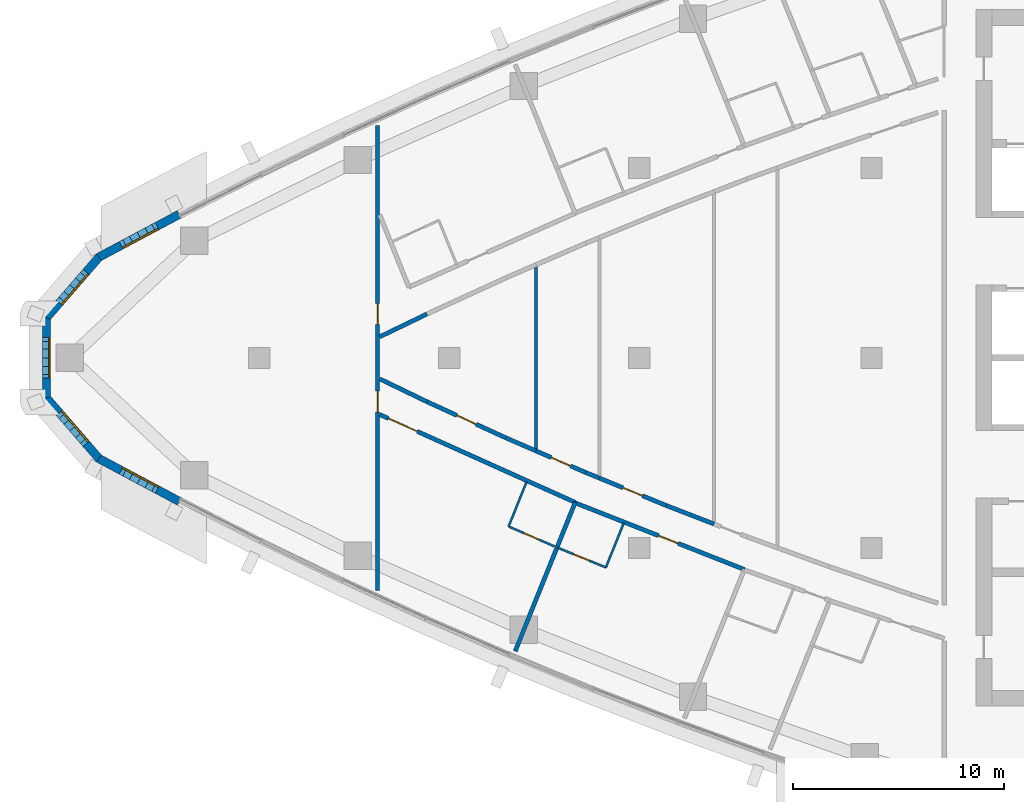
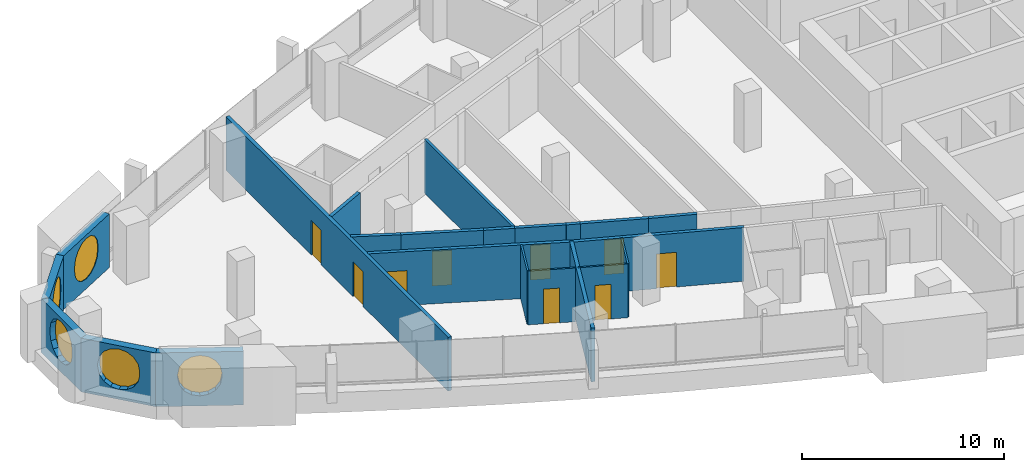
# One storey, part 9 of 17: 22 walls, 9 doors, 5 windows, 14 openings.
"""IFC4 building model written with IfcOpenShell, lengths in metres."""

from ifc_helpers import new_model, si_unit, direction, frame, frame_2d, origin, place, context, subcontext, project, spatial, polyline, rectangle, outline, extrude, material, layer, layer_set, type_object, element, fill, save


model = new_model("IFC4")

# Units and contexts
model_context = context("Model", 3, precision=1e-05, world=origin(), true_north=direction((0.0, 1.0)))
body_context = subcontext(model_context, "Body", "Model", "MODEL_VIEW")
ifc_project = project(units=[si_unit("LENGTHUNIT", "METRE"), si_unit("AREAUNIT", "SQUARE_METRE"), si_unit("VOLUMEUNIT", "CUBIC_METRE"), si_unit("PLANEANGLEUNIT", "RADIAN"), si_unit("MASSUNIT", "GRAM", prefix="KILO")], contexts=[model_context])

# Site, building, storey
site_placement = place(None, origin())
site = spatial("IfcSite", under=ifc_project, at=site_placement, CompositionType="ELEMENT")
building_placement = place(site_placement, origin())
building = spatial("IfcBuilding", under=site, at=building_placement, Name="Ostrand Prow Hotel Tower", CompositionType="ELEMENT")
storey_placement = place(building_placement, frame((0.0, 0.0, 179.050048828125)))
storey = spatial("IfcBuildingStorey", under=building, at=storey_placement, Name="L44", CompositionType="ELEMENT", Elevation=179.050048828125)

# Wall
ifc_material_1 = material(Name="Plasterboard partition")
ifc_layer_1 = layer(ifc_material_1, 0.10009765625)
ifc_layer_set_1 = layer_set([ifc_layer_1], Name="Plasterboard partition")
wall_type_1 = type_object("IfcWallType", Name="Partition 100 bathroom wall", PredefinedType="PARTITIONING", material=ifc_layer_set_1)
wall_1_placement = place(storey_placement, frame((27.810302734375, -7.98779296875, 0.0), z_axis=(0.0, 0.0, 1.0), x_axis=(0.373865727953, 0.927482839443, 0.0)))
element("IfcWall", 1, at=wall_1_placement, inside=storey, type_object=wall_type_1, Name="BATHROOM WALL", PredefinedType="PARTITIONING", context=body_context, shape_type="SweptSolid", body=[
    extrude(rectangle(XDim=2.27783203125, YDim=0.10009765625, at=frame_2d((1.138916015625, 0.0))), origin(), (0.0, 0.0, 1.0), 3.25),
])

# Wall, opening, door
wall_2_placement = place(storey_placement, frame((29.9892578125, -8.933349609375, 0.0), z_axis=(0.0, 0.0, 1.0), x_axis=(-0.917386792713, 0.397996824805, 0.0)))
wall_2 = element("IfcWall", 2, at=wall_2_placement, inside=storey, type_object=wall_type_1, Name="BATHROOM WALL", PredefinedType="PARTITIONING", context=body_context, shape_type="SweptSolid", body=[
    extrude(rectangle(XDim=2.375244140625, YDim=0.10009765625, at=frame_2d((1.1875, 0.0))), origin(), (0.0, 0.0, 1.0), 3.25),
])
opening_1_placement = place(wall_2_placement, frame((0.800048828125, 0.0, 0.0)))
opening_1 = element("IfcOpeningElement", 3, at=opening_1_placement, cuts=wall_2, Name="Opening D2", PredefinedType="OPENING", context=body_context, shape_type="SweptSolid", body=[
    extrude(rectangle(XDim=0.800048828125, YDim=2.10009765625, at=frame_2d((0.39990234375, 1.050048828125))), frame((0.0, 0.06005859375, 0.0), z_axis=(0.0, -1.0, 0.0), x_axis=(1.0, 0.0, 0.0)), (0.0, 0.0, 1.0), 0.1201171875),
])
ifc_material_2 = material(Name="Timber door leaf", Category="wood")
door_type_1 = type_object("IfcDoorType", Name="Bathroom door 800", OperationType="SINGLE_SWING_LEFT", PredefinedType="DOOR", material=ifc_material_2)
door_1_placement = place(opening_1_placement, origin())
door_1 = element("IfcDoor", 4, at=door_1_placement, inside=storey, type_object=door_type_1, Name="DOOR", OperationType="SINGLE_SWING_LEFT", OverallHeight=2.10009765625, OverallWidth=0.800048828125, PredefinedType="DOOR", context=body_context, shape_type="SweptSolid", body=[
    extrude(rectangle(XDim=0.800048828125, YDim=2.10009765625, at=frame_2d((0.39990234375, 1.050048828125))), frame((0.0, 0.02490234375, 0.0), z_axis=(0.0, -1.0, 0.0), x_axis=(1.0, 0.0, 0.0)), (0.0, 0.0, 1.0), 0.050048828125),
])
fill(opening_1, door_1)

# Wall
wall_3_placement = place(storey_placement, frame((33.269775390625, -7.817626953125, 0.0), z_axis=(0.0, 0.0, 1.0), x_axis=(-0.373847853912, -0.927490044219, 0.0)))
element("IfcWall", 5, at=wall_3_placement, inside=storey, type_object=wall_type_1, Name="BATHROOM WALL", PredefinedType="PARTITIONING", context=body_context, shape_type="SweptSolid", body=[
    extrude(rectangle(XDim=2.277099609375, YDim=0.10009765625, at=frame_2d((1.138671875, 0.0))), origin(), (0.0, 0.0, 1.0), 3.25),
])

# Wall, opening, door
wall_4_placement = place(storey_placement, frame((32.41845703125, -9.9296875, 0.0), z_axis=(0.0, 0.0, 1.0), x_axis=(-0.92519499486, 0.379492057212, 0.0)))
wall_4 = element("IfcWall", 6, at=wall_4_placement, inside=storey, type_object=wall_type_1, Name="BATHROOM WALL", PredefinedType="PARTITIONING", context=body_context, shape_type="SweptSolid", body=[
    extrude(rectangle(XDim=2.5, YDim=0.10009765625, at=frame_2d((1.25, 0.0))), origin(), (0.0, 0.0, 1.0), 3.25),
])
opening_2_placement = place(wall_4_placement, frame((0.85009765625, 0.0, 0.0)))
opening_2 = element("IfcOpeningElement", 7, at=opening_2_placement, cuts=wall_4, Name="Opening D2", PredefinedType="OPENING", context=body_context, shape_type="SweptSolid", body=[
    extrude(rectangle(XDim=0.800048828125, YDim=2.10009765625, at=frame_2d((0.39990234375, 1.050048828125))), frame((0.0, 0.06005859375, 0.0), z_axis=(0.0, -1.0, 0.0), x_axis=(1.0, 0.0, 0.0)), (0.0, 0.0, 1.0), 0.1201171875),
])
door_2_placement = place(opening_2_placement, origin())
door_2 = element("IfcDoor", 8, at=door_2_placement, inside=storey, type_object=door_type_1, Name="DOOR", OperationType="SINGLE_SWING_LEFT", OverallHeight=2.10009765625, OverallWidth=0.800048828125, PredefinedType="DOOR", context=body_context, shape_type="SweptSolid", body=[
    extrude(rectangle(XDim=0.800048828125, YDim=2.10009765625, at=frame_2d((0.39990234375, 1.050048828125))), frame((0.0, 0.02490234375, 0.0), z_axis=(0.0, -1.0, 0.0), x_axis=(1.0, 0.0, 0.0)), (0.0, 0.0, 1.0), 0.050048828125),
])
fill(opening_2, door_2)

# Wall
ifc_material_3 = material(Name="Plasterboard partition")
ifc_layer_2 = layer(ifc_material_3, 0.14990234375)
ifc_layer_set_2 = layer_set([ifc_layer_2], Name="Plasterboard partition")
wall_type_2 = type_object("IfcWallType", Name="Partition 150 room partition", PredefinedType="PARTITIONING", material=ifc_layer_set_2)
wall_5_placement = place(storey_placement, frame((29.11328125, -4.4111328125, 0.0), z_axis=(0.0, 0.0, 1.0), x_axis=(0.0, 1.0, 0.0)))
element("IfcWall", 9, at=wall_5_placement, inside=storey, type_object=wall_type_2, Name="ROOM PARTITION", PredefinedType="PARTITIONING", context=body_context, shape_type="SweptSolid", body=[
    extrude(rectangle(XDim=8.822265625, YDim=0.14990234375, at=frame_2d((4.4111328125, 0.0))), origin(), (0.0, 0.0, 1.0), 3.25),
])

# Wall, opening, door
ifc_material_4 = material(Name="Plasterboard partition")
ifc_layer_3 = layer(ifc_material_4, 0.199951171875)
ifc_layer_set_3 = layer_set([ifc_layer_3], Name="Plasterboard partition")
wall_type_3 = type_object("IfcWallType", Name="Partition 200 corridor wall", PredefinedType="PARTITIONING", material=ifc_layer_set_3)
wall_6_placement = place(storey_placement, frame((21.7041015625, -2.684814453125, 0.0), z_axis=(0.0, 0.0, 1.0), x_axis=(0.912095082087, -0.409978732659, 0.0)))
wall_6 = element("IfcWall", 10, at=wall_6_placement, inside=storey, type_object=wall_type_3, Name="CORRIDOR WALL", PredefinedType="PARTITIONING", context=body_context, shape_type="SweptSolid", body=[
    extrude(rectangle(XDim=10.15380859375, YDim=0.199951171875, at=frame_2d((5.076904296875, 0.0))), origin(), (0.0, 0.0, 1.0), 3.25),
])
opening_3_placement = place(wall_6_placement, frame((0.449951171875, 0.0, 0.0)))
opening_3 = element("IfcOpeningElement", 11, at=opening_3_placement, cuts=wall_6, Name="Opening D15", PredefinedType="OPENING", context=body_context, shape_type="SweptSolid", body=[
    extrude(rectangle(XDim=1.5, YDim=2.10009765625, at=frame_2d((0.75, 1.050048828125))), frame((0.0, 0.10986328125, 0.0), z_axis=(0.0, -1.0, 0.0), x_axis=(1.0, 0.0, 0.0)), (0.0, 0.0, 1.0), 0.219970703125),
])
ifc_material_5 = material(Name="Timber door leaf", Category="wood")
door_type_2 = type_object("IfcDoorType", Name="Double door 1500", OperationType="DOUBLE_DOOR_SINGLE_SWING", PredefinedType="DOOR", material=ifc_material_5)
door_3_placement = place(opening_3_placement, origin())
door_3 = element("IfcDoor", 12, at=door_3_placement, inside=storey, type_object=door_type_2, Name="DOOR", OperationType="DOUBLE_DOOR_SINGLE_SWING", OverallHeight=2.10009765625, OverallWidth=1.5, PredefinedType="DOOR", context=body_context, shape_type="SweptSolid", body=[
    extrude(rectangle(XDim=1.5, YDim=2.10009765625, at=frame_2d((0.75, 1.050048828125))), frame((0.0, 0.02490234375, 0.0), z_axis=(0.0, -1.0, 0.0), x_axis=(1.0, 0.0, 0.0)), (0.0, 0.0, 1.0), 0.050048828125),
])
fill(opening_3, door_3)

wall_7_placement = place(storey_placement, frame((30.9580078125, -6.8662109375, 0.0), z_axis=(0.0, 0.0, 1.0), x_axis=(0.93040517394, -0.366532689274, 0.0)))
wall_7 = element("IfcWall", 13, at=wall_7_placement, inside=storey, type_object=wall_type_3, Name="CORRIDOR WALL", PredefinedType="PARTITIONING", context=body_context, shape_type="SweptSolid", body=[
    extrude(rectangle(XDim=8.621826171875, YDim=0.199951171875, at=frame_2d((4.31103515625, 0.0))), origin(), (0.0, 0.0, 1.0), 3.25),
])
opening_4_placement = place(wall_7_placement, frame((4.25, 0.0, 0.0)))
opening_4 = element("IfcOpeningElement", 14, at=opening_4_placement, cuts=wall_7, Name="Opening D1", PredefinedType="OPENING", context=body_context, shape_type="SweptSolid", body=[
    extrude(rectangle(XDim=1.0, YDim=2.10009765625, at=frame_2d((0.5, 1.050048828125))), frame((0.0, 0.10986328125, 0.0), z_axis=(0.0, -1.0, 0.0), x_axis=(1.0, 0.0, 0.0)), (0.0, 0.0, 1.0), 0.219970703125),
])
ifc_material_6 = material(Name="Timber door leaf", Category="wood")
door_type_3 = type_object("IfcDoorType", Name="Guest room door 1000", OperationType="SINGLE_SWING_LEFT", PredefinedType="DOOR", material=ifc_material_6)
door_4_placement = place(opening_4_placement, origin())
door_4 = element("IfcDoor", 15, at=door_4_placement, inside=storey, type_object=door_type_3, Name="DOOR", OperationType="SINGLE_SWING_LEFT", OverallHeight=2.10009765625, OverallWidth=1.0, PredefinedType="DOOR", context=body_context, shape_type="SweptSolid", body=[
    extrude(rectangle(XDim=1.0, YDim=2.10009765625, at=frame_2d((0.5, 1.050048828125))), frame((0.0, 0.02490234375, 0.0), z_axis=(0.0, -1.0, 0.0), x_axis=(1.0, 0.0, 0.0)), (0.0, 0.0, 1.0), 0.050048828125),
])
fill(opening_4, door_4)

wall_8_placement = place(storey_placement, frame((27.689697265625, -3.79345703125, 0.0), z_axis=(0.0, 0.0, 1.0), x_axis=(-0.909180834404, 0.416401501382, 0.0)))
wall_8 = element("IfcWall", 16, at=wall_8_placement, inside=storey, type_object=wall_type_3, Name="CORRIDOR WALL", PredefinedType="PARTITIONING", context=body_context, shape_type="SweptSolid", body=[
    extrude(rectangle(XDim=4.1171875, YDim=0.199951171875, at=frame_2d((2.05859375, 0.0))), origin(), (0.0, 0.0, 1.0), 3.25),
])
opening_5_placement = place(wall_8_placement, frame((1.55859375, 0.0, 0.0)))
opening_5 = element("IfcOpeningElement", 17, at=opening_5_placement, cuts=wall_8, Name="Opening D1R", PredefinedType="OPENING", context=body_context, shape_type="SweptSolid", body=[
    extrude(rectangle(XDim=1.0, YDim=2.10009765625, at=frame_2d((0.5, 1.050048828125))), frame((0.0, 0.10986328125, 0.0), z_axis=(0.0, -1.0, 0.0), x_axis=(1.0, 0.0, 0.0)), (0.0, 0.0, 1.0), 0.219970703125),
])
ifc_material_7 = material(Name="Timber door leaf", Category="wood")
door_type_4 = type_object("IfcDoorType", Name="Guest room door 1000 right", OperationType="SINGLE_SWING_RIGHT", PredefinedType="DOOR", material=ifc_material_7)
door_5_placement = place(opening_5_placement, origin())
door_5 = element("IfcDoor", 18, at=door_5_placement, inside=storey, type_object=door_type_4, Name="DOOR", OperationType="SINGLE_SWING_RIGHT", OverallHeight=2.10009765625, OverallWidth=1.0, PredefinedType="DOOR", context=body_context, shape_type="SweptSolid", body=[
    extrude(rectangle(XDim=1.0, YDim=2.10009765625, at=frame_2d((0.5, 1.050048828125))), frame((0.0, 0.02490234375, 0.0), z_axis=(0.0, -1.0, 0.0), x_axis=(1.0, 0.0, 0.0)), (0.0, 0.0, 1.0), 0.050048828125),
])
fill(opening_5, door_5)

# Walls
for number, where, z_axis, x_axis, name in (
    (19, (23.946533203125, -2.0791015625, 0.0), (0.0, 0.0, 1.0), (-0.900633695148, 0.434579045933, 0.0), "CORRIDOR WALL"),
    (20, (21.7041015625, 0.9970703125, 0.0), (0.0, 0.0, 1.0), (0.900633695148, 0.434579045933, 0.0), "CORRIDOR WALL"),
):
    element("IfcWall", number, at=place(storey_placement, frame(where, z_axis=z_axis, x_axis=x_axis)), inside=storey, type_object=wall_type_3, Name=name, PredefinedType="PARTITIONING", context=body_context, shape_type="SweptSolid", body=[
        extrude(rectangle(XDim=2.48974609375, YDim=0.199951171875, at=frame_2d((1.244873046875, 0.0))), origin(), (0.0, 0.0, 1.0), 3.25),
    ])
wall_9_placement = place(storey_placement, frame((29.11328125, -4.4111328125, 0.0), z_axis=(0.0, 0.0, 1.0), x_axis=(-0.917369942083, 0.398035663431, 0.0)))
element("IfcWall", 21, at=wall_9_placement, inside=storey, type_object=wall_type_3, Name="CORRIDOR WALL", PredefinedType="PARTITIONING", context=body_context, shape_type="SweptSolid", body=[
    extrude(rectangle(XDim=1.5517578125, YDim=0.199951171875, at=frame_2d((0.77587890625, 0.0))), origin(), (0.0, 0.0, 1.0), 3.25),
])

# Wall, opening, door
wall_10_placement = place(storey_placement, frame((31.466552734375, -5.43212890625, 0.0), z_axis=(0.0, 0.0, 1.0), x_axis=(-0.91737845263, 0.398016048231, 0.0)))
wall_10 = element("IfcWall", 22, at=wall_10_placement, inside=storey, type_object=wall_type_3, Name="CORRIDOR WALL", PredefinedType="PARTITIONING", context=body_context, shape_type="SweptSolid", body=[
    extrude(rectangle(XDim=2.565185546875, YDim=0.199951171875, at=frame_2d((1.28271484375, 0.0))), origin(), (0.0, 0.0, 1.0), 3.25),
])
opening_6_placement = place(wall_10_placement, frame((0.78271484375, 0.0, 0.0)))
opening_6 = element("IfcOpeningElement", 23, at=opening_6_placement, cuts=wall_10, Name="Opening D1", PredefinedType="OPENING", context=body_context, shape_type="SweptSolid", body=[
    extrude(rectangle(XDim=1.0, YDim=2.10009765625, at=frame_2d((0.5, 1.050048828125))), frame((0.0, 0.10986328125, 0.0), z_axis=(0.0, -1.0, 0.0), x_axis=(1.0, 0.0, 0.0)), (0.0, 0.0, 1.0), 0.219970703125),
])
door_6_placement = place(opening_6_placement, origin())
door_6 = element("IfcDoor", 24, at=door_6_placement, inside=storey, type_object=door_type_3, Name="DOOR", OperationType="SINGLE_SWING_LEFT", OverallHeight=2.10009765625, OverallWidth=1.0, PredefinedType="DOOR", context=body_context, shape_type="SweptSolid", body=[
    extrude(rectangle(XDim=1.0, YDim=2.10009765625, at=frame_2d((0.5, 1.050048828125))), frame((0.0, 0.02490234375, 0.0), z_axis=(0.0, -1.0, 0.0), x_axis=(1.0, 0.0, 0.0)), (0.0, 0.0, 1.0), 0.050048828125),
])
fill(opening_6, door_6)

# Wall
wall_11_placement = place(storey_placement, frame((32.11328125, -5.697265625, 0.0), z_axis=(0.0, 0.0, 1.0), x_axis=(-0.92526293873, 0.379326368992, 0.0)))
element("IfcWall", 25, at=wall_11_placement, inside=storey, type_object=wall_type_3, Name="CORRIDOR WALL", PredefinedType="PARTITIONING", context=body_context, shape_type="SweptSolid", body=[
    extrude(rectangle(XDim=0.698974609375, YDim=0.199951171875, at=frame_2d((0.349609375, 0.0))), origin(), (0.0, 0.0, 1.0), 3.25),
])

# Wall, opening, door
wall_12_placement = place(storey_placement, frame((35.275634765625, -6.994384765625, 0.0), z_axis=(0.0, 0.0, 1.0), x_axis=(-0.925194984271, 0.379492083026, 0.0)))
wall_12 = element("IfcWall", 26, at=wall_12_placement, inside=storey, type_object=wall_type_3, Name="CORRIDOR WALL", PredefinedType="PARTITIONING", context=body_context, shape_type="SweptSolid", body=[
    extrude(rectangle(XDim=3.41796875, YDim=0.199951171875, at=frame_2d((1.708984375, 0.0))), origin(), (0.0, 0.0, 1.0), 3.25),
])
opening_7_placement = place(wall_12_placement, frame((1.208984375, 0.0, 0.0)))
opening_7 = element("IfcOpeningElement", 27, at=opening_7_placement, cuts=wall_12, Name="Opening D1R", PredefinedType="OPENING", context=body_context, shape_type="SweptSolid", body=[
    extrude(rectangle(XDim=1.0, YDim=2.10009765625, at=frame_2d((0.5, 1.050048828125))), frame((0.0, 0.10986328125, 0.0), z_axis=(0.0, -1.0, 0.0), x_axis=(1.0, 0.0, 0.0)), (0.0, 0.0, 1.0), 0.219970703125),
])
door_7_placement = place(opening_7_placement, origin())
door_7 = element("IfcDoor", 28, at=door_7_placement, inside=storey, type_object=door_type_4, Name="DOOR", OperationType="SINGLE_SWING_RIGHT", OverallHeight=2.10009765625, OverallWidth=1.0, PredefinedType="DOOR", context=body_context, shape_type="SweptSolid", body=[
    extrude(rectangle(XDim=1.0, YDim=2.10009765625, at=frame_2d((0.5, 1.050048828125))), frame((0.0, 0.02490234375, 0.0), z_axis=(0.0, -1.0, 0.0), x_axis=(1.0, 0.0, 0.0)), (0.0, 0.0, 1.0), 0.050048828125),
])
fill(opening_7, door_7)

# Walls
wall_13_placement = place(storey_placement, frame((37.546875, -7.872802734375, 0.0), z_axis=(0.0, 0.0, 1.0), x_axis=(-0.932674754549, 0.36071845285, 0.0)))
element("IfcWall", 29, at=wall_13_placement, inside=storey, type_object=wall_type_3, Name="CORRIDOR WALL", PredefinedType="PARTITIONING", context=body_context, shape_type="SweptSolid", body=[
    extrude(rectangle(XDim=2.435302734375, YDim=0.199951171875, at=frame_2d((1.2177734375, 0.0))), origin(), (0.0, 0.0, 1.0), 3.25),
])
ifc_material_8 = material(Name="Plasterboard partition")
ifc_layer_4 = layer(ifc_material_8, 0.199951171875)
ifc_layer_set_4 = layer_set([ifc_layer_4], Name="Plasterboard partition")
wall_type_4 = type_object("IfcWallType", Name="Partition 200 key partition", PredefinedType="PARTITIONING", material=ifc_layer_set_4)
wall_14_placement = place(storey_placement, frame((28.123779296875, -13.896728515625, 0.0), z_axis=(0.0, 0.0, 1.0), x_axis=(0.373876084216, 0.927478664796, 0.0)))
element("IfcWall", 30, at=wall_14_placement, inside=storey, type_object=wall_type_4, Name="KEY PARTITION", PredefinedType="PARTITIONING", context=body_context, shape_type="SweptSolid", body=[
    extrude(rectangle(XDim=7.600341796875, YDim=0.199951171875, at=frame_2d((3.80029296875, 0.0))), origin(), (0.0, 0.0, 1.0), 3.25),
])

# Wall, openings, doors
ifc_material_9 = material(Name="Plasterboard partition")
ifc_layer_5 = layer(ifc_material_9, 0.199951171875)
ifc_layer_set_5 = layer_set([ifc_layer_5], Name="Plasterboard partition")
wall_type_5 = type_object("IfcWallType", Name="Partition 200 lounge wall", PredefinedType="PARTITIONING", material=ifc_layer_set_5)
wall_15_placement = place(storey_placement, frame((21.60400390625, -11.015380859375, 0.0), z_axis=(0.0, 0.0, 1.0), x_axis=(0.0, 1.0, 0.0)))
wall_15 = element("IfcWall", 31, at=wall_15_placement, inside=storey, type_object=wall_type_5, Name="LOUNGE WALL", PredefinedType="PARTITIONING", context=body_context, shape_type="SweptSolid", body=[
    extrude(rectangle(XDim=22.03076171875, YDim=0.199951171875, at=frame_2d((11.015380859375, 0.0))), origin(), (0.0, 0.0, 1.0), 3.25),
])
opening_8_placement = place(wall_15_placement, frame((12.5859375, 0.0, 0.0)))
opening_8 = element("IfcOpeningElement", 32, at=opening_8_placement, cuts=wall_15, Name="Opening D1", PredefinedType="OPENING", context=body_context, shape_type="SweptSolid", body=[
    extrude(rectangle(XDim=1.0, YDim=2.10009765625, at=frame_2d((0.5, 1.050048828125))), frame((0.0, 0.10986328125, 0.0), z_axis=(0.0, -1.0, 0.0), x_axis=(1.0, 0.0, 0.0)), (0.0, 0.0, 1.0), 0.219970703125),
])
opening_9_placement = place(wall_15_placement, frame((8.444091796875, 0.0, 0.0)))
opening_9 = element("IfcOpeningElement", 33, at=opening_9_placement, cuts=wall_15, Name="Opening D1R", PredefinedType="OPENING", context=body_context, shape_type="SweptSolid", body=[
    extrude(rectangle(XDim=1.0, YDim=2.10009765625, at=frame_2d((0.5, 1.050048828125))), frame((0.0, 0.10986328125, 0.0), z_axis=(0.0, -1.0, 0.0), x_axis=(1.0, 0.0, 0.0)), (0.0, 0.0, 1.0), 0.219970703125),
])
door_8_placement = place(opening_8_placement, origin())
door_8 = element("IfcDoor", 34, at=door_8_placement, inside=storey, type_object=door_type_3, Name="DOOR", OperationType="SINGLE_SWING_LEFT", OverallHeight=2.10009765625, OverallWidth=1.0, PredefinedType="DOOR", context=body_context, shape_type="SweptSolid", body=[
    extrude(rectangle(XDim=1.0, YDim=2.10009765625, at=frame_2d((0.5, 1.050048828125))), frame((0.0, 0.02490234375, 0.0), z_axis=(0.0, -1.0, 0.0), x_axis=(1.0, 0.0, 0.0)), (0.0, 0.0, 1.0), 0.050048828125),
])
fill(opening_8, door_8)
door_9_placement = place(opening_9_placement, origin())
door_9 = element("IfcDoor", 35, at=door_9_placement, inside=storey, type_object=door_type_4, Name="DOOR", OperationType="SINGLE_SWING_RIGHT", OverallHeight=2.10009765625, OverallWidth=1.0, PredefinedType="DOOR", context=body_context, shape_type="SweptSolid", body=[
    extrude(rectangle(XDim=1.0, YDim=2.10009765625, at=frame_2d((0.5, 1.050048828125))), frame((0.0, 0.02490234375, 0.0), z_axis=(0.0, -1.0, 0.0), x_axis=(1.0, 0.0, 0.0)), (0.0, 0.0, 1.0), 0.050048828125),
])
fill(opening_9, door_9)

# Wall, opening, window
ifc_material_10 = material(Name="Precast concrete C40/50", Category="concrete")
ifc_layer_6 = layer(ifc_material_10, 0.39990234375)
ifc_layer_set_6 = layer_set([ifc_layer_6], Name="Precast concrete C40/50")
wall_type_6 = type_object("IfcWallType", Name="Stone-faced precast wall 400 mm", PredefinedType="NOTDEFINED", material=ifc_layer_set_6)
wall_16_placement = place(storey_placement, frame((12.209716796875, 6.801025390625, 0.0), z_axis=(0.0, 0.0, 1.0), x_axis=(-0.882385889746, -0.470526451518, 0.0)))
wall_16 = element("IfcWall", 36, at=wall_16_placement, inside=storey, type_object=wall_type_6, Name="Stone-faced wall prow 1", PredefinedType="NOTDEFINED", context=body_context, shape_type="SweptSolid", body=[
    extrude(outline(polyline([(0.0, -0.199951171875), (4.34423828125, -0.199951171875), (4.27001953125, 0.199951171875), (0.0, 0.199951171875), (0.0, -0.199951171875)])), origin(), (0.0, 0.0, 1.0), 3.25),
])
opening_10_placement = place(wall_16_placement, frame((1.053466796875, 0.0, 0.60009765625)))
opening_10 = element("IfcOpeningElement", 37, at=opening_10_placement, cuts=wall_16, Name="Opening WP1", PredefinedType="OPENING", context=body_context, shape_type="SweptSolid", body=[
    extrude(outline(polyline([(0.0, 1.35009765625), (0.083740234375, 1.77099609375), (0.322265625, 2.127685546875), (0.678955078125, 2.3662109375), (1.10009765625, 2.449951171875), (1.52099609375, 2.3662109375), (1.877685546875, 2.127685546875), (2.1162109375, 1.77099609375), (2.199951171875, 1.35009765625), (2.199951171875, 1.10009765625), (2.1162109375, 0.678955078125), (1.877685546875, 0.322265625), (1.52099609375, 0.083740234375), (1.10009765625, 0.0), (0.678955078125, 0.083740234375), (0.322265625, 0.322265625), (0.083740234375, 0.678955078125), (0.0, 1.099853515625), (0.0, 1.35009765625)])), frame((0.0, 0.2099609375, 0.0), z_axis=(0.0, -1.0, 0.0), x_axis=(1.0, 0.0, 0.0)), (0.0, 0.0, 1.0), 0.419921875),
])
ifc_material_11 = material(Name="Insulated glass in bronze frame", Category="glass")
window_type = type_object("IfcWindowType", Name="Round-ended prow window 2200x2450", PartitioningType="SINGLE_PANEL", PredefinedType="WINDOW", material=ifc_material_11)
window_1_placement = place(opening_10_placement, origin())
window_1 = element("IfcWindow", 38, at=window_1_placement, inside=storey, type_object=window_type, Name="Window prow 1.1", OverallHeight=2.449951171875, OverallWidth=2.199951171875, PartitioningType="SINGLE_PANEL", PredefinedType="WINDOW", context=body_context, shape_type="SweptSolid", body=[
    extrude(outline(polyline([(0.0, 1.35009765625), (0.083740234375, 1.77099609375), (0.322265625, 2.127685546875), (0.678955078125, 2.3662109375), (1.10009765625, 2.449951171875), (1.52099609375, 2.3662109375), (1.877685546875, 2.127685546875), (2.1162109375, 1.77099609375), (2.199951171875, 1.35009765625), (2.199951171875, 1.10009765625), (2.1162109375, 0.678955078125), (1.877685546875, 0.322265625), (1.52099609375, 0.083740234375), (1.10009765625, 0.0), (0.678955078125, 0.083740234375), (0.322265625, 0.322265625), (0.083740234375, 0.678955078125), (0.0, 1.099853515625), (0.0, 1.35009765625)])), frame((0.0, 0.169921875, 0.0), z_axis=(0.0, -1.0, 0.0), x_axis=(1.0, 0.0, 0.0)), (0.0, 0.0, 1.0), 0.06005859375),
])
fill(opening_10, window_1)

wall_17_placement = place(storey_placement, frame((8.4091796875, 4.7744140625, 0.0), z_axis=(0.0, 0.0, 1.0), x_axis=(-0.654759384203, -0.755837382509, 0.0)))
wall_17 = element("IfcWall", 39, at=wall_17_placement, inside=storey, type_object=wall_type_6, Name="Stone-faced wall prow 2", PredefinedType="NOTDEFINED", context=body_context, shape_type="SweptSolid", body=[
    extrude(outline(polyline([(-0.037109375, -0.199951171875), (3.87646484375, -0.199951171875), (3.72705078125, 0.199951171875), (0.037109375, 0.199951171875), (-0.037109375, -0.199951171875)])), origin(), (0.0, 0.0, 1.0), 3.25),
])
opening_11_placement = place(wall_17_placement, frame((0.80078125, 0.0, 0.60009765625)))
opening_11 = element("IfcOpeningElement", 40, at=opening_11_placement, cuts=wall_17, Name="Opening WP1", PredefinedType="OPENING", context=body_context, shape_type="SweptSolid", body=[
    extrude(outline(polyline([(0.0, 1.35009765625), (0.083740234375, 1.77099609375), (0.322265625, 2.127685546875), (0.678955078125, 2.3662109375), (1.10009765625, 2.449951171875), (1.52099609375, 2.3662109375), (1.877685546875, 2.127685546875), (2.1162109375, 1.77099609375), (2.199951171875, 1.35009765625), (2.199951171875, 1.10009765625), (2.1162109375, 0.678955078125), (1.877685546875, 0.322265625), (1.52099609375, 0.083740234375), (1.10009765625, 0.0), (0.678955078125, 0.083740234375), (0.322265625, 0.322265625), (0.083740234375, 0.678955078125), (0.0, 1.099853515625), (0.0, 1.35009765625)])), frame((0.0, 0.2099609375, 0.0), z_axis=(0.0, -1.0, 0.0), x_axis=(1.0, 0.0, 0.0)), (0.0, 0.0, 1.0), 0.419921875),
])
window_2_placement = place(opening_11_placement, origin())
window_2 = element("IfcWindow", 41, at=window_2_placement, inside=storey, type_object=window_type, Name="Window prow 2.1", OverallHeight=2.449951171875, OverallWidth=2.199951171875, PartitioningType="SINGLE_PANEL", PredefinedType="WINDOW", context=body_context, shape_type="SweptSolid", body=[
    extrude(outline(polyline([(0.0, 1.35009765625), (0.083740234375, 1.77099609375), (0.322265625, 2.127685546875), (0.678955078125, 2.3662109375), (1.10009765625, 2.449951171875), (1.52099609375, 2.3662109375), (1.877685546875, 2.127685546875), (2.1162109375, 1.77099609375), (2.199951171875, 1.35009765625), (2.199951171875, 1.10009765625), (2.1162109375, 0.678955078125), (1.877685546875, 0.322265625), (1.52099609375, 0.083740234375), (1.10009765625, 0.0), (0.678955078125, 0.083740234375), (0.322265625, 0.322265625), (0.083740234375, 0.678955078125), (0.0, 1.099853515625), (0.0, 1.35009765625)])), frame((0.0, 0.169921875, 0.0), z_axis=(0.0, -1.0, 0.0), x_axis=(1.0, 0.0, 0.0)), (0.0, 0.0, 1.0), 0.06005859375),
])
fill(opening_11, window_2)

wall_18_placement = place(storey_placement, frame((5.919921875, 1.90087890625, 0.0), z_axis=(0.0, 0.0, 1.0), x_axis=(0.0, -1.0, 0.0)))
wall_18 = element("IfcWall", 42, at=wall_18_placement, inside=storey, type_object=wall_type_6, Name="Stone-faced wall prow 3", PredefinedType="NOTDEFINED", context=body_context, shape_type="SweptSolid", body=[
    extrude(outline(polyline([(-0.07470703125, -0.199951171875), (3.87646484375, -0.199951171875), (3.72705078125, 0.199951171875), (0.07470703125, 0.199951171875), (-0.07470703125, -0.199951171875)])), origin(), (0.0, 0.0, 1.0), 3.25),
])
opening_12_placement = place(wall_18_placement, frame((0.80078125, 0.0, 0.60009765625)))
opening_12 = element("IfcOpeningElement", 43, at=opening_12_placement, cuts=wall_18, Name="Opening WP1", PredefinedType="OPENING", context=body_context, shape_type="SweptSolid", body=[
    extrude(outline(polyline([(0.0, 1.35009765625), (0.083740234375, 1.77099609375), (0.322265625, 2.127685546875), (0.678955078125, 2.3662109375), (1.10009765625, 2.449951171875), (1.52099609375, 2.3662109375), (1.877685546875, 2.127685546875), (2.1162109375, 1.77099609375), (2.199951171875, 1.35009765625), (2.199951171875, 1.10009765625), (2.1162109375, 0.678955078125), (1.877685546875, 0.322265625), (1.52099609375, 0.083740234375), (1.10009765625, 0.0), (0.678955078125, 0.083740234375), (0.322265625, 0.322265625), (0.083740234375, 0.678955078125), (0.0, 1.099853515625), (0.0, 1.35009765625)])), frame((0.0, 0.2099609375, 0.0), z_axis=(0.0, -1.0, 0.0), x_axis=(1.0, 0.0, 0.0)), (0.0, 0.0, 1.0), 0.419921875),
])
window_3_placement = place(opening_12_placement, origin())
window_3 = element("IfcWindow", 44, at=window_3_placement, inside=storey, type_object=window_type, Name="Window prow 3.1", OverallHeight=2.449951171875, OverallWidth=2.199951171875, PartitioningType="SINGLE_PANEL", PredefinedType="WINDOW", context=body_context, shape_type="SweptSolid", body=[
    extrude(outline(polyline([(0.0, 1.35009765625), (0.083740234375, 1.77099609375), (0.322265625, 2.127685546875), (0.678955078125, 2.3662109375), (1.10009765625, 2.449951171875), (1.52099609375, 2.3662109375), (1.877685546875, 2.127685546875), (2.1162109375, 1.77099609375), (2.199951171875, 1.35009765625), (2.199951171875, 1.10009765625), (2.1162109375, 0.678955078125), (1.877685546875, 0.322265625), (1.52099609375, 0.083740234375), (1.10009765625, 0.0), (0.678955078125, 0.083740234375), (0.322265625, 0.322265625), (0.083740234375, 0.678955078125), (0.0, 1.099853515625), (0.0, 1.35009765625)])), frame((0.0, 0.169921875, 0.0), z_axis=(0.0, -1.0, 0.0), x_axis=(1.0, 0.0, 0.0)), (0.0, 0.0, 1.0), 0.06005859375),
])
fill(opening_12, window_3)

wall_19_placement = place(storey_placement, frame((5.919921875, -1.90087890625, 0.0), z_axis=(0.0, 0.0, 1.0), x_axis=(0.654759384203, -0.755837382509, 0.0)))
wall_19 = element("IfcWall", 45, at=wall_19_placement, inside=storey, type_object=wall_type_6, Name="Stone-faced wall prow 4", PredefinedType="NOTDEFINED", context=body_context, shape_type="SweptSolid", body=[
    extrude(outline(polyline([(-0.07470703125, -0.199951171875), (3.8388671875, -0.199951171875), (3.7646484375, 0.199951171875), (0.07470703125, 0.199951171875), (-0.07470703125, -0.199951171875)])), origin(), (0.0, 0.0, 1.0), 3.25),
])
opening_13_placement = place(wall_19_placement, frame((0.80078125, 0.0, 0.60009765625)))
opening_13 = element("IfcOpeningElement", 46, at=opening_13_placement, cuts=wall_19, Name="Opening WP1", PredefinedType="OPENING", context=body_context, shape_type="SweptSolid", body=[
    extrude(outline(polyline([(0.0, 1.35009765625), (0.083740234375, 1.77099609375), (0.322265625, 2.127685546875), (0.678955078125, 2.3662109375), (1.10009765625, 2.449951171875), (1.52099609375, 2.3662109375), (1.877685546875, 2.127685546875), (2.1162109375, 1.77099609375), (2.199951171875, 1.35009765625), (2.199951171875, 1.10009765625), (2.1162109375, 0.678955078125), (1.877685546875, 0.322265625), (1.52099609375, 0.083740234375), (1.10009765625, 0.0), (0.678955078125, 0.083740234375), (0.322265625, 0.322265625), (0.083740234375, 0.678955078125), (0.0, 1.099853515625), (0.0, 1.35009765625)])), frame((0.0, 0.2099609375, 0.0), z_axis=(0.0, -1.0, 0.0), x_axis=(1.0, 0.0, 0.0)), (0.0, 0.0, 1.0), 0.419921875),
])
window_4_placement = place(opening_13_placement, origin())
window_4 = element("IfcWindow", 47, at=window_4_placement, inside=storey, type_object=window_type, Name="Window prow 4.1", OverallHeight=2.449951171875, OverallWidth=2.199951171875, PartitioningType="SINGLE_PANEL", PredefinedType="WINDOW", context=body_context, shape_type="SweptSolid", body=[
    extrude(outline(polyline([(0.0, 1.35009765625), (0.083740234375, 1.77099609375), (0.322265625, 2.127685546875), (0.678955078125, 2.3662109375), (1.10009765625, 2.449951171875), (1.52099609375, 2.3662109375), (1.877685546875, 2.127685546875), (2.1162109375, 1.77099609375), (2.199951171875, 1.35009765625), (2.199951171875, 1.10009765625), (2.1162109375, 0.678955078125), (1.877685546875, 0.322265625), (1.52099609375, 0.083740234375), (1.10009765625, 0.0), (0.678955078125, 0.083740234375), (0.322265625, 0.322265625), (0.083740234375, 0.678955078125), (0.0, 1.099853515625), (0.0, 1.35009765625)])), frame((0.0, 0.169921875, 0.0), z_axis=(0.0, -1.0, 0.0), x_axis=(1.0, 0.0, 0.0)), (0.0, 0.0, 1.0), 0.06005859375),
])
fill(opening_13, window_4)

wall_20_placement = place(storey_placement, frame((8.4091796875, -4.7744140625, 0.0), z_axis=(0.0, 0.0, 1.0), x_axis=(0.882385889746, -0.470526451518, 0.0)))
wall_20 = element("IfcWall", 48, at=wall_20_placement, inside=storey, type_object=wall_type_6, Name="Stone-faced wall prow 5", PredefinedType="NOTDEFINED", context=body_context, shape_type="SweptSolid", body=[
    extrude(outline(polyline([(-0.037109375, -0.199951171875), (4.30712890625, -0.199951171875), (4.30712890625, 0.199951171875), (0.037109375, 0.199951171875), (-0.037109375, -0.199951171875)])), origin(), (0.0, 0.0, 1.0), 3.25),
])
opening_14_placement = place(wall_20_placement, frame((1.053466796875, 0.0, 0.60009765625)))
opening_14 = element("IfcOpeningElement", 49, at=opening_14_placement, cuts=wall_20, Name="Opening WP1", PredefinedType="OPENING", context=body_context, shape_type="SweptSolid", body=[
    extrude(outline(polyline([(0.0, 1.35009765625), (0.083740234375, 1.77099609375), (0.322265625, 2.127685546875), (0.678955078125, 2.3662109375), (1.10009765625, 2.449951171875), (1.52099609375, 2.3662109375), (1.877685546875, 2.127685546875), (2.1162109375, 1.77099609375), (2.199951171875, 1.35009765625), (2.199951171875, 1.10009765625), (2.1162109375, 0.678955078125), (1.877685546875, 0.322265625), (1.52099609375, 0.083740234375), (1.10009765625, 0.0), (0.678955078125, 0.083740234375), (0.322265625, 0.322265625), (0.083740234375, 0.678955078125), (0.0, 1.099853515625), (0.0, 1.35009765625)])), frame((0.0, 0.2099609375, 0.0), z_axis=(0.0, -1.0, 0.0), x_axis=(1.0, 0.0, 0.0)), (0.0, 0.0, 1.0), 0.419921875),
])
window_5_placement = place(opening_14_placement, origin())
window_5 = element("IfcWindow", 50, at=window_5_placement, inside=storey, type_object=window_type, Name="Window prow 5.1", OverallHeight=2.449951171875, OverallWidth=2.199951171875, PartitioningType="SINGLE_PANEL", PredefinedType="WINDOW", context=body_context, shape_type="SweptSolid", body=[
    extrude(outline(polyline([(0.0, 1.35009765625), (0.083740234375, 1.77099609375), (0.322265625, 2.127685546875), (0.678955078125, 2.3662109375), (1.10009765625, 2.449951171875), (1.52099609375, 2.3662109375), (1.877685546875, 2.127685546875), (2.1162109375, 1.77099609375), (2.199951171875, 1.35009765625), (2.199951171875, 1.10009765625), (2.1162109375, 0.678955078125), (1.877685546875, 0.322265625), (1.52099609375, 0.083740234375), (1.10009765625, 0.0), (0.678955078125, 0.083740234375), (0.322265625, 0.322265625), (0.083740234375, 0.678955078125), (0.0, 1.099853515625), (0.0, 1.35009765625)])), frame((0.0, 0.169921875, 0.0), z_axis=(0.0, -1.0, 0.0), x_axis=(1.0, 0.0, 0.0)), (0.0, 0.0, 1.0), 0.06005859375),
])
fill(opening_14, window_5)

save(model, "model.ifc")
